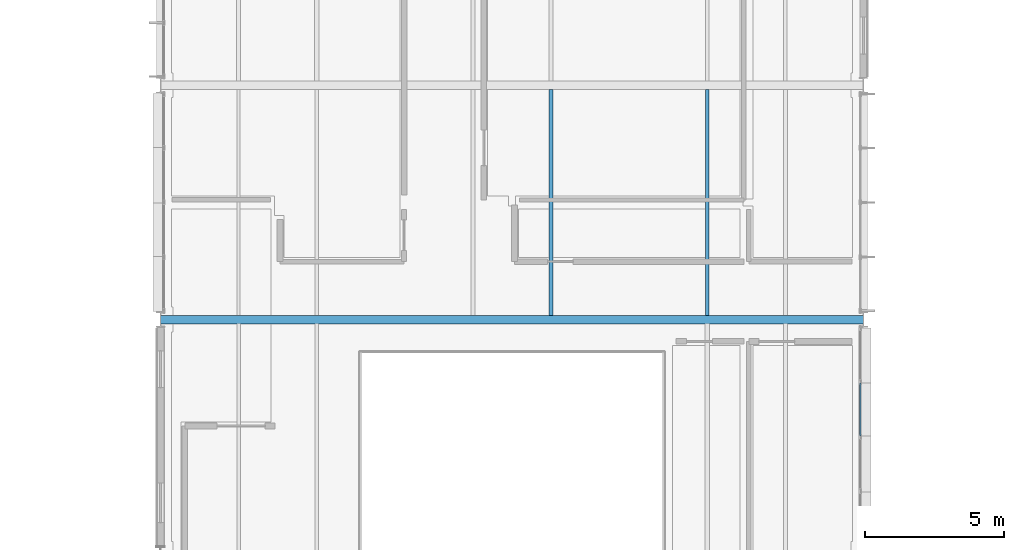
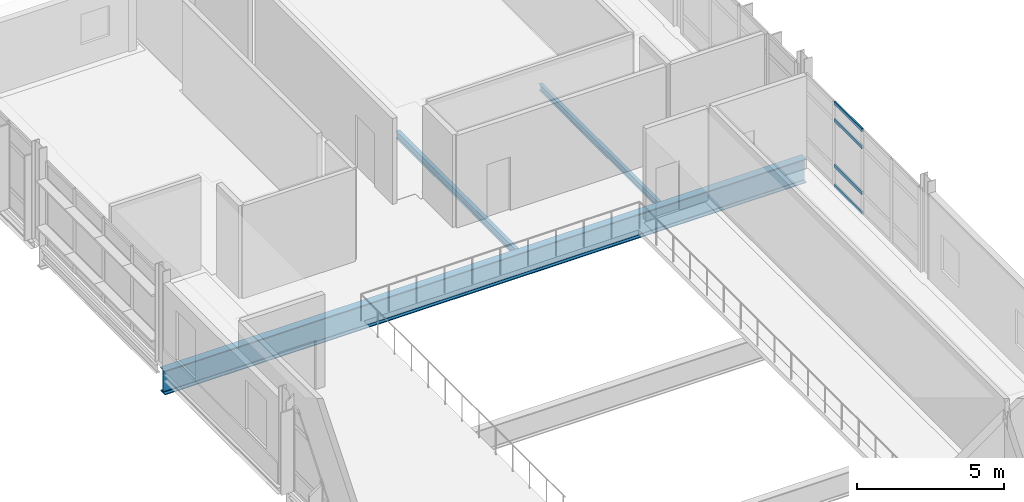
# One storey, part 61 of 151: 4 members, 3 beams, 1 element without a shape of its own.
"""IFC4 building model written with IfcOpenShell, lengths in metres."""

from ifc_helpers import new_model, si_unit, direction, frame, origin, origin_2d, place, context, subcontext, project, spatial, hollow_rectangle, i_section, extrude, material, material_profile, profile_set, type_object, element, aggregate, save


model = new_model("IFC4")

# Units and contexts
model_context = context("Model", 3, precision=1e-05, world=origin(), true_north=direction((0.0, 1.0)))
body_context = subcontext(model_context, "Body", "Model", "MODEL_VIEW")
ifc_project = project(units=[si_unit("LENGTHUNIT", "METRE"), si_unit("AREAUNIT", "SQUARE_METRE"), si_unit("VOLUMEUNIT", "CUBIC_METRE"), si_unit("PLANEANGLEUNIT", "RADIAN"), si_unit("MASSUNIT", "GRAM", prefix="KILO")], contexts=[model_context])

# Site, building, storey
site_placement = place(None, origin())
site = spatial("IfcSite", under=ifc_project, at=site_placement, CompositionType="ELEMENT")
building_placement = place(site_placement, origin())
building = spatial("IfcBuilding", under=site, at=building_placement, Name="Mersafa Astral City Hall", CompositionType="ELEMENT")
storey_placement = place(building_placement, frame((0.0, 0.0, 9.89990234375)))
storey = spatial("IfcBuildingStorey", under=building, at=storey_placement, Name="L02", CompositionType="ELEMENT", Elevation=9.89990234375)

# Curtain wall, members
ifc_material_1 = material(Name="Anodised bronze aluminium framing", Category="aluminium")
curtain_wall_type = type_object("IfcCurtainWallType", Name="ENV-CW-6", PredefinedType="USERDEFINED", material=ifc_material_1)
curtain_wall_placement = place(storey_placement, origin())
curtain_wall = element("IfcCurtainWall", 1, at=curtain_wall_placement, inside=storey, type_object=curtain_wall_type, Name="L02 Unitised solar curtain wall 113", ObjectType="UNITISED CURTAIN WALL", PredefinedType="USERDEFINED")
ifc_material_profile_1 = material_profile(ifc_material_1, hollow_rectangle(XDim=0.06005859375, YDim=0.139892578125, WallThickness=0.00390625, at=origin_2d()), Name="RHS 60x140x4")
ifc_profile_set_1 = profile_set([ifc_material_profile_1], Name="Anodised bronze aluminium framing")
member_type = type_object("IfcMemberType", Name="ENV-CW-TRN-1", PredefinedType="USERDEFINED", material=ifc_profile_set_1)
member_1_placement = place(storey_placement, frame((117.47998046875, 71.429931640625, 0.028076171875), z_axis=(0.0, 1.0, 0.0), x_axis=(-1.0, 0.0, 0.0)))
member_1 = element("IfcMember", 2, at=member_1_placement, type_object=member_type, Name="CW-6 transom 3.1", ObjectType="TRANSOM", PredefinedType="USERDEFINED", context=body_context, shape_type="SweptSolid", body=[
    extrude(hollow_rectangle(XDim=0.06005859375, YDim=0.139892578125, WallThickness=0.00390625, at=origin_2d()), origin(), (0.0, 0.0, 1.0), 1.896484375),
])
member_2_placement = place(storey_placement, frame((117.47998046875, 71.429931640625, 0.85009765625), z_axis=(0.0, 1.0, 0.0), x_axis=(-1.0, 0.0, 0.0)))
member_2 = element("IfcMember", 3, at=member_2_placement, type_object=member_type, Name="CW-6 transom 3.2", ObjectType="TRANSOM", PredefinedType="USERDEFINED", context=body_context, shape_type="SweptSolid", body=[
    extrude(hollow_rectangle(XDim=0.06005859375, YDim=0.139892578125, WallThickness=0.00390625, at=origin_2d()), origin(), (0.0, 0.0, 1.0), 1.896484375),
])
member_3_placement = place(storey_placement, frame((117.47998046875, 71.429931640625, 2.75), z_axis=(0.0, 1.0, 0.0), x_axis=(-1.0, 0.0, 0.0)))
member_3 = element("IfcMember", 4, at=member_3_placement, type_object=member_type, Name="CW-6 transom 3.3", ObjectType="TRANSOM", PredefinedType="USERDEFINED", context=body_context, shape_type="SweptSolid", body=[
    extrude(hollow_rectangle(XDim=0.06005859375, YDim=0.139892578125, WallThickness=0.00390625, at=origin_2d()), origin(), (0.0, 0.0, 1.0), 1.896484375),
])
member_4_placement = place(storey_placement, frame((117.47998046875, 71.429931640625, 3.45703125), z_axis=(0.0, 1.0, 0.0), x_axis=(-1.0, 0.0, 0.0)))
member_4 = element("IfcMember", 5, at=member_4_placement, type_object=member_type, Name="CW-6 transom 3.4", ObjectType="TRANSOM", PredefinedType="USERDEFINED", context=body_context, shape_type="SweptSolid", body=[
    extrude(hollow_rectangle(XDim=0.06005859375, YDim=0.139892578125, WallThickness=0.00390625, at=origin_2d()), origin(), (0.0, 0.0, 1.0), 1.896484375),
])
aggregate(curtain_wall, [member_1, member_2, member_3, member_4])

# Beams
ifc_material_2 = material(Name="Steel S355", Category="steel")
ifc_material_profile_2 = material_profile(ifc_material_2, i_section(OverallWidth=0.135009765625, OverallDepth=0.27001953125, WebThickness=0.006591796875, FlangeThickness=0.01025390625, FilletRadius=0.014892578125, at=origin_2d()), Name="IPE 270")
ifc_profile_set_2 = profile_set([ifc_material_profile_2], Name="Steel S355")
beam_type_1 = type_object("IfcBeamType", Name="STR-BM-JOIST-IPE270", PredefinedType="JOIST", material=ifc_profile_set_2)
beam_1_placement = place(storey_placement, frame((112.0, 75.7451171875, -0.3349609375), z_axis=(0.0, 1.0, 0.0), x_axis=(-1.0, 0.0, 0.0)))
element("IfcBeam", 6, at=beam_1_placement, inside=storey, type_object=beam_type_1, Name="L02 Composite secondary floor joist 482", PredefinedType="JOIST", context=body_context, shape_type="SweptSolid", body=[
    extrude(i_section(OverallWidth=0.135009765625, OverallDepth=0.27001953125, WebThickness=0.006591796875, FlangeThickness=0.01025390625, FilletRadius=0.014892578125, at=origin_2d()), origin(), (0.0, 0.0, 1.0), 8.10986328125),
])
ifc_material_profile_3 = material_profile(ifc_material_2, i_section(OverallWidth=0.14990234375, OverallDepth=0.300048828125, WebThickness=0.007080078125, FlangeThickness=0.0107421875, FilletRadius=0.014892578125, at=origin_2d()), Name="IPE 300")
ifc_profile_set_3 = profile_set([ifc_material_profile_3], Name="Steel S355")
beam_type_2 = type_object("IfcBeamType", Name="STR-BM-JOIST-IPE300", PredefinedType="JOIST", material=ifc_profile_set_3)
beam_2_placement = place(storey_placement, frame((106.39990234375, 75.7451171875, -0.349853515625), z_axis=(0.0, 1.0, 0.0), x_axis=(-1.0, 0.0, 0.0)))
element("IfcBeam", 7, at=beam_2_placement, inside=storey, type_object=beam_type_2, Name="L02 Composite secondary floor joist 459", PredefinedType="JOIST", context=body_context, shape_type="SweptSolid", body=[
    extrude(i_section(OverallWidth=0.14990234375, OverallDepth=0.300048828125, WebThickness=0.007080078125, FlangeThickness=0.0107421875, FilletRadius=0.014892578125, at=origin_2d()), origin(), (0.0, 0.0, 1.0), 8.10986328125),
])
ifc_material_profile_4 = material_profile(ifc_material_2, i_section(OverallWidth=0.300048828125, OverallDepth=1.0, WebThickness=0.01904296875, FlangeThickness=0.035888671875, FilletRadius=0.030029296875, at=origin_2d()), Name="HEB 1000")
ifc_profile_set_4 = profile_set([ifc_material_profile_4], Name="Steel S355")
beam_type_3 = type_object("IfcBeamType", Name="STR-BM-PORTAL-HEB1000", PredefinedType="BEAM", material=ifc_profile_set_4)
beam_3_placement = place(storey_placement, frame((92.403076171875, 75.60009765625, -0.699951171875), z_axis=(1.0, 0.0, 0.0), x_axis=(0.0, 1.0, 0.0)))
element("IfcBeam", 8, at=beam_3_placement, inside=storey, type_object=beam_type_3, Name="L02 Public Service Hall clear-span portal girder 9", PredefinedType="BEAM", context=body_context, shape_type="SweptSolid", body=[
    extrude(i_section(OverallWidth=0.300048828125, OverallDepth=1.0, WebThickness=0.01904296875, FlangeThickness=0.035888671875, FilletRadius=0.030029296875, at=origin_2d()), origin(), (0.0, 0.0, 1.0), 25.19384765625),
])

save(model, "model.ifc")
